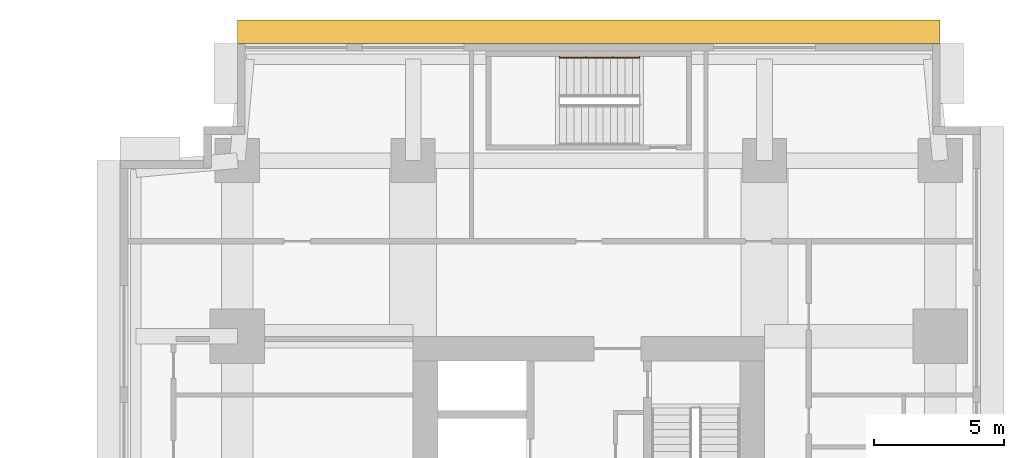
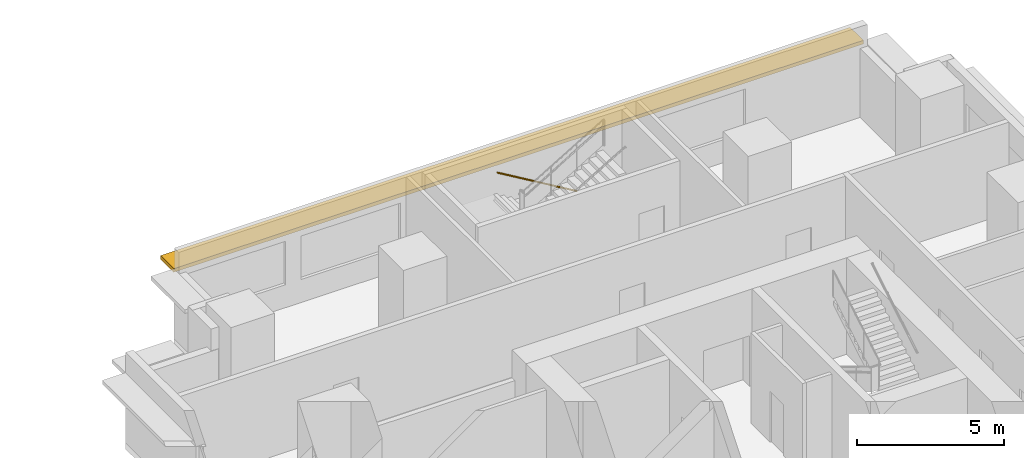
# One storey, part 11 of 11: 1 railing, 1 shading device.
"""IFC4 building model written with IfcOpenShell, lengths in metres."""

from ifc_helpers import new_model, si_unit, direction, frame, origin, origin_2d, place, context, subcontext, project, spatial, rectangle, circle, extrude, material, layer, layer_set, type_object, element, save


model = new_model("IFC4")

# Units and contexts
model_context = context("Model", 3, precision=1e-05, world=origin(), true_north=direction((0.0, 1.0)))
body_context = subcontext(model_context, "Body", "Model", "MODEL_VIEW")
ifc_project = project(units=[si_unit("LENGTHUNIT", "METRE"), si_unit("AREAUNIT", "SQUARE_METRE"), si_unit("VOLUMEUNIT", "CUBIC_METRE"), si_unit("PLANEANGLEUNIT", "RADIAN"), si_unit("MASSUNIT", "GRAM", prefix="KILO")], contexts=[model_context])

# Site, building, storey
site_placement = place(None, origin())
site = spatial("IfcSite", under=ifc_project, at=site_placement, CompositionType="ELEMENT")
building_placement = place(site_placement, origin())
building = spatial("IfcBuilding", under=site, at=building_placement, Name="Namib Vertical Campus", CompositionType="ELEMENT")
storey_placement = place(building_placement, frame((0.0, 0.0, 93.0)))
storey = spatial("IfcBuildingStorey", under=building, at=storey_placement, Name="L21", CompositionType="ELEMENT", Elevation=93.0)

# Railing
ifc_material_1 = material(Name="Steel handrail", Category="steel")
railing_type = type_object("IfcRailingType", Name="Handrail 900", PredefinedType="HANDRAIL", material=ifc_material_1)
railing_placement = place(storey_placement, frame((82.949951171875, 39.949951171875, 0.166748046875)))
element("IfcRailing", 1, at=railing_placement, inside=storey, type_object=railing_type, Name="Handrail HR1 B-S3 L21 1", PredefinedType="HANDRAIL", context=body_context, shape_type="SweptSolid", body=[
    extrude(circle(Radius=0.02392578125, at=origin_2d()), frame((0.0, 0.0, 0.8759765625), z_axis=(-0.859290745958, 0.0, 0.51148745235), x_axis=(0.0, -1.0, 0.0)), (0.0, 0.0, 1.0), 3.584228515625),
    extrude(circle(Radius=0.008056640625, at=origin_2d()), frame((0.0, 0.0, 0.8759765625), z_axis=(0.0, 1.0, 0.0), x_axis=(0.0, 0.0, 1.0)), (0.0, 0.0, 1.0), 0.050048828125),
    extrude(circle(Radius=0.008056640625, at=origin_2d()), frame((-1.026611328125, 0.0, 1.48681640625), z_axis=(0.0, 1.0, 0.0), x_axis=(0.0, 0.0, 1.0)), (0.0, 0.0, 1.0), 0.050048828125),
    extrude(circle(Radius=0.008056640625, at=origin_2d()), frame((-2.05322265625, 0.0, 2.09814453125), z_axis=(0.0, 1.0, 0.0), x_axis=(0.0, 0.0, 1.0)), (0.0, 0.0, 1.0), 0.050048828125),
    extrude(circle(Radius=0.008056640625, at=origin_2d()), frame((-3.079833984375, 0.0, 2.708984375), z_axis=(0.0, 1.0, 0.0), x_axis=(0.0, 0.0, 1.0)), (0.0, 0.0, 1.0), 0.050048828125),
])

# Shading device
ifc_material_2 = material(Name="Concrete C40/50 precast", Category="concrete")
ifc_layer = layer(ifc_material_2, 0.14990234375)
ifc_layer_set = layer_set([ifc_layer], Name="Concrete C40/50 precast")
shading_device_type = type_object("IfcShadingDeviceType", Name="Sunshade hood 900", PredefinedType="SHUTTER", material=ifc_layer_set)
shading_device_placement = place(storey_placement, frame((81.0, 40.949951171875, 2.75), z_axis=(0.0, 0.0, 1.0), x_axis=(-1.0, 0.0, 0.0)))
element("IfcShadingDevice", 2, at=shading_device_placement, inside=storey, type_object=shading_device_type, Name="Sunshade SH1 L21 7", PredefinedType="SHUTTER", context=body_context, shape_type="SweptSolid", body=[
    extrude(rectangle(XDim=27.0, YDim=0.89990234375, at=origin_2d()), origin(), (0.0, 0.0, 1.0), 0.14990234375),
])

save(model, "model.ifc")
